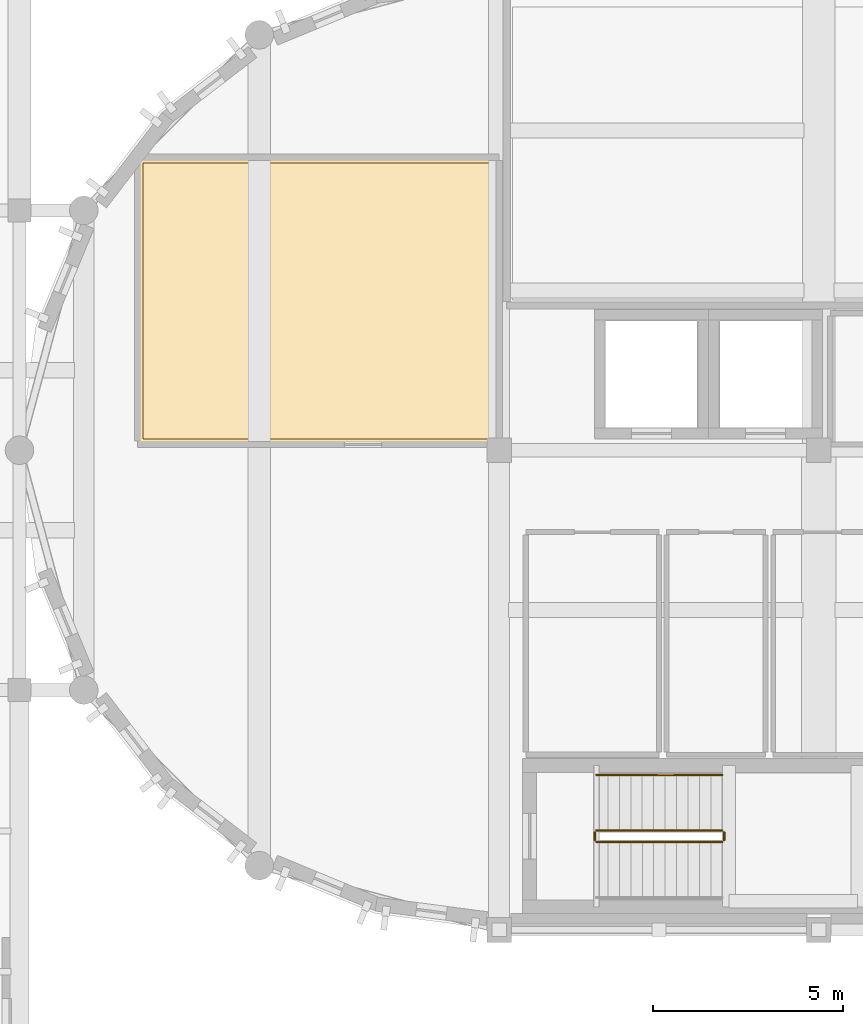
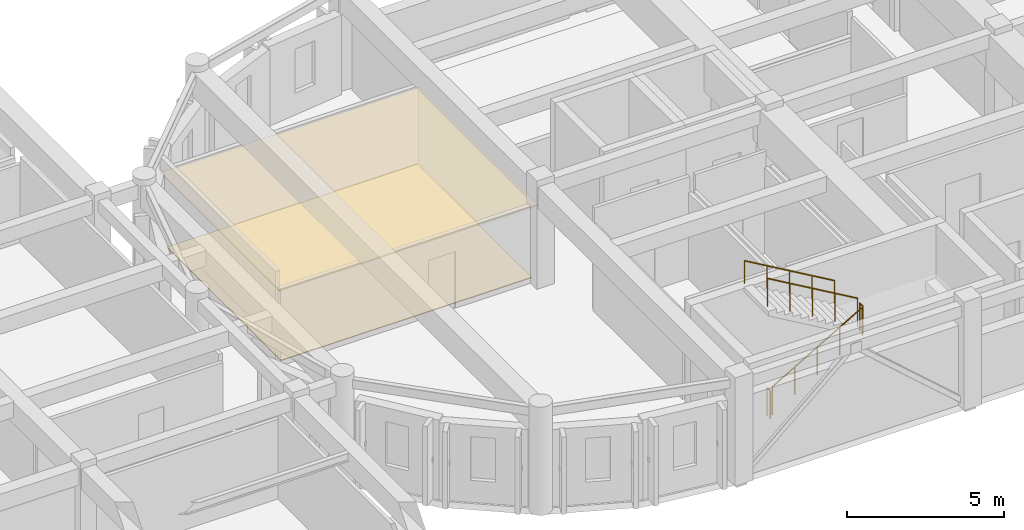
# One storey, part 26 of 31: 5 railings, 2 coverings.
"""IFC4 building model written with IfcOpenShell, lengths in metres."""

from ifc_helpers import new_model, si_unit, direction, frame, origin, origin_2d, place, context, subcontext, project, spatial, polyline, circle, outline, extrude, material, layer, layer_set, type_object, element, save


model = new_model("IFC4")

# Units and contexts
model_context = context("Model", 3, precision=1e-05, world=origin(), true_north=direction((0.0, 1.0)))
body_context = subcontext(model_context, "Body", "Model", "MODEL_VIEW")
ifc_project = project(units=[si_unit("LENGTHUNIT", "METRE"), si_unit("AREAUNIT", "SQUARE_METRE"), si_unit("VOLUMEUNIT", "CUBIC_METRE"), si_unit("PLANEANGLEUNIT", "RADIAN"), si_unit("MASSUNIT", "GRAM", prefix="KILO")], contexts=[model_context])

# Site, building, storey
site_placement = place(None, origin())
site = spatial("IfcSite", under=ifc_project, at=site_placement, CompositionType="ELEMENT")
building_placement = place(site_placement, origin())
building = spatial("IfcBuilding", under=site, at=building_placement, Name="Tarnavel Promenade Courthouse", CompositionType="ELEMENT")
storey_placement = place(building_placement, frame((0.0, 0.0, 18.60009765625)))
storey = spatial("IfcBuildingStorey", under=building, at=storey_placement, Name="L05", CompositionType="ELEMENT", Elevation=18.60009765625)

# Railing
ifc_material_1 = material(Name="Brushed Bronze Tubular Stair Handrail")
railing_type_1 = type_object("IfcRailingType", Name="Brushed Bronze Tubular Stair Handrail (RL-HND-0900)", PredefinedType="HANDRAIL", material=ifc_material_1)
railing_1_placement = place(storey_placement, frame((64.659912109375, 83.27001953125, 2.27490234375)))
element("IfcRailing", 1, at=railing_1_placement, inside=storey, type_object=railing_type_1, Name="L05 ST-01 stair handrail 2", PredefinedType="HANDRAIL", context=body_context, shape_type="SweptSolid", body=[
    extrude(circle(Radius=0.02392578125, at=origin_2d()), frame((0.0, 0.0, 0.8759765625), z_axis=(-0.863760357493, 0.0, 0.503902812876), x_axis=(0.0, -1.0, 0.0)), (0.0, 0.0, 1.0), 3.8203125),
    extrude(circle(Radius=0.02099609375, at=origin_2d()), origin(), (0.0, 0.0, 1.0), 0.851806640625),
    extrude(circle(Radius=0.02099609375, at=origin_2d()), frame((-0.824951171875, 0.0, 0.481201171875)), (0.0, 0.0, 1.0), 0.851806640625),
    extrude(circle(Radius=0.02099609375, at=origin_2d()), frame((-1.64990234375, 0.0, 0.96240234375)), (0.0, 0.0, 1.0), 0.851806640625),
    extrude(circle(Radius=0.02099609375, at=origin_2d()), frame((-2.474853515625, 0.0, 1.44384765625)), (0.0, 0.0, 1.0), 0.851806640625),
    extrude(circle(Radius=0.02099609375, at=origin_2d()), frame((-3.2998046875, 0.0, 1.925048828125)), (0.0, 0.0, 1.0), 0.851806640625),
])

# Coverings
ifc_material_2 = material(Name="Engineered Smoked Oak Courtroom & Chambers Parquet")
ifc_layer_1 = layer(ifc_material_2, 0.031982421875)
ifc_layer_set_1 = layer_set([ifc_layer_1], Name="Engineered Smoked Oak Courtroom & Chambers Parquet")
covering_type_1 = type_object("IfcCoveringType", Name="Engineered Smoked Oak Courtroom & Chambers Parquet (COV-FLR-OAK-32)", PredefinedType="FLOORING", material=ifc_layer_set_1)
covering_1_placement = place(storey_placement, origin())
element("IfcCovering", 2, at=covering_1_placement, inside=storey, type_object=covering_type_1, Name="L05 L05 West Drum Rotunda Chambers North Architectural Flooring 0039", PredefinedType="FLOORING", context=body_context, shape_type="SweptSolid", body=[
    extrude(outline(polyline([(49.449951171875, 92.10009765625), (58.64990234375, 92.10009765625), (58.64990234375, 99.35009765625), (49.449951171875, 99.35009765625), (49.449951171875, 92.10009765625)])), origin(), (0.0, 0.0, 1.0), 0.031982421875),
])
ifc_material_3 = material(Name="Micro-Perforated Acoustic Mineral-Fibre Ceiling")
ifc_layer_2 = layer(ifc_material_3, 0.044921875)
ifc_layer_set_2 = layer_set([ifc_layer_2], Name="Micro-Perforated Acoustic Mineral-Fibre Ceiling")
covering_type_2 = type_object("IfcCoveringType", Name="Micro-Perforated Acoustic Mineral-Fibre Ceiling (COV-CLG-MIN-45)", PredefinedType="CEILING", material=ifc_layer_set_2)
covering_2_placement = place(storey_placement, frame((0.0, 0.0, 2.844970703125)))
element("IfcCovering", 3, at=covering_2_placement, inside=storey, type_object=covering_type_2, Name="L05 L05 West Drum Rotunda Chambers North Acoustic Ceiling 0039", PredefinedType="CEILING", context=body_context, shape_type="SweptSolid", body=[
    extrude(outline(polyline([(49.300048828125, 91.949951171875), (58.800048828125, 91.949951171875), (58.800048828125, 99.5), (49.300048828125, 99.5), (49.300048828125, 91.949951171875)])), origin(), (0.0, 0.0, 1.0), 0.044921875),
])

# Railings
ifc_material_4 = material(Name="Painted Architectural Steel Core Stair Guardrail", Category="steel")
railing_type_2 = type_object("IfcRailingType", Name="Painted Architectural Steel Core Stair Guardrail (RL-GRD-1100)", PredefinedType="GUARDRAIL", material=ifc_material_4)
railing_2_placement = place(storey_placement, frame((61.360107421875, 81.510009765625, 0.1748046875)))
element("IfcRailing", 4, at=railing_2_placement, inside=storey, type_object=railing_type_2, Name="L05 ST-01 stair guard 1", PredefinedType="GUARDRAIL", context=body_context, shape_type="SweptSolid", body=[
    extrude(circle(Radius=0.02392578125, at=origin_2d()), frame((0.0, 0.0, 1.076171875), z_axis=(0.863760357493, 0.0, 0.503902812876), x_axis=(0.0, 1.0, 0.0)), (0.0, 0.0, 1.0), 3.8203125),
    extrude(circle(Radius=0.02099609375, at=origin_2d()), origin(), (0.0, 0.0, 1.0), 1.052001953125),
    extrude(circle(Radius=0.02099609375, at=origin_2d()), frame((0.824951171875, 0.0, 0.481201171875)), (0.0, 0.0, 1.0), 1.052001953125),
    extrude(circle(Radius=0.02099609375, at=origin_2d()), frame((1.64990234375, 0.0, 0.96240234375)), (0.0, 0.0, 1.0), 1.052001953125),
    extrude(circle(Radius=0.02099609375, at=origin_2d()), frame((2.474853515625, 0.0, 1.44384765625)), (0.0, 0.0, 1.0), 1.052001953125),
    extrude(circle(Radius=0.02099609375, at=origin_2d()), frame((3.2998046875, 0.0, 1.925048828125)), (0.0, 0.0, 1.0), 1.052001953125),
])
railing_3_placement = place(storey_placement, frame((64.7099609375, 81.56005859375, 2.099853515625)))
element("IfcRailing", 5, at=railing_3_placement, inside=storey, type_object=railing_type_2, Name="L05 ST-01 stair guard 2", PredefinedType="GUARDRAIL", context=body_context, shape_type="SweptSolid", body=[
    extrude(circle(Radius=0.02392578125, at=origin_2d()), frame((0.0, 0.0, 1.076171875), z_axis=(0.0, 1.0, 0.0), x_axis=(-1.0, 0.0, 0.0)), (0.0, 0.0, 1.0), 0.199951171875),
    extrude(circle(Radius=0.02099609375, at=origin_2d()), origin(), (0.0, 0.0, 1.0), 1.052001953125),
    extrude(circle(Radius=0.02099609375, at=origin_2d()), frame((0.0, 0.199951171875, 0.0)), (0.0, 0.0, 1.0), 1.052001953125),
])
railing_4_placement = place(storey_placement, frame((64.659912109375, 81.81005859375, 2.27490234375)))
element("IfcRailing", 6, at=railing_4_placement, inside=storey, type_object=railing_type_2, Name="L05 ST-01 stair guard 3", PredefinedType="GUARDRAIL", context=body_context, shape_type="SweptSolid", body=[
    extrude(circle(Radius=0.02392578125, at=origin_2d()), frame((0.0, 0.0, 1.076171875), z_axis=(-0.863760357493, 0.0, 0.503902812876), x_axis=(0.0, -1.0, 0.0)), (0.0, 0.0, 1.0), 3.8203125),
    extrude(circle(Radius=0.02099609375, at=origin_2d()), origin(), (0.0, 0.0, 1.0), 1.052001953125),
    extrude(circle(Radius=0.02099609375, at=origin_2d()), frame((-0.824951171875, 0.0, 0.481201171875)), (0.0, 0.0, 1.0), 1.052001953125),
    extrude(circle(Radius=0.02099609375, at=origin_2d()), frame((-1.64990234375, 0.0, 0.96240234375)), (0.0, 0.0, 1.0), 1.052001953125),
    extrude(circle(Radius=0.02099609375, at=origin_2d()), frame((-2.474853515625, 0.0, 1.44384765625)), (0.0, 0.0, 1.0), 1.052001953125),
    extrude(circle(Radius=0.02099609375, at=origin_2d()), frame((-3.2998046875, 0.0, 1.925048828125)), (0.0, 0.0, 1.0), 1.052001953125),
])
railing_5_placement = place(storey_placement, frame((61.31005859375, 81.56005859375, 0.0)))
element("IfcRailing", 7, at=railing_5_placement, inside=storey, type_object=railing_type_2, Name="L05 ST-01 stair guard 4", PredefinedType="GUARDRAIL", context=body_context, shape_type="SweptSolid", body=[
    extrude(circle(Radius=0.02392578125, at=origin_2d()), frame((0.0, 0.0, 1.076171875), z_axis=(0.0, 1.0, 0.0), x_axis=(-1.0, 0.0, 0.0)), (0.0, 0.0, 1.0), 0.199951171875),
    extrude(circle(Radius=0.02099609375, at=origin_2d()), origin(), (0.0, 0.0, 1.0), 1.052001953125),
    extrude(circle(Radius=0.02099609375, at=origin_2d()), frame((0.0, 0.199951171875, 0.0)), (0.0, 0.0, 1.0), 1.052001953125),
])

save(model, "model.ifc")
